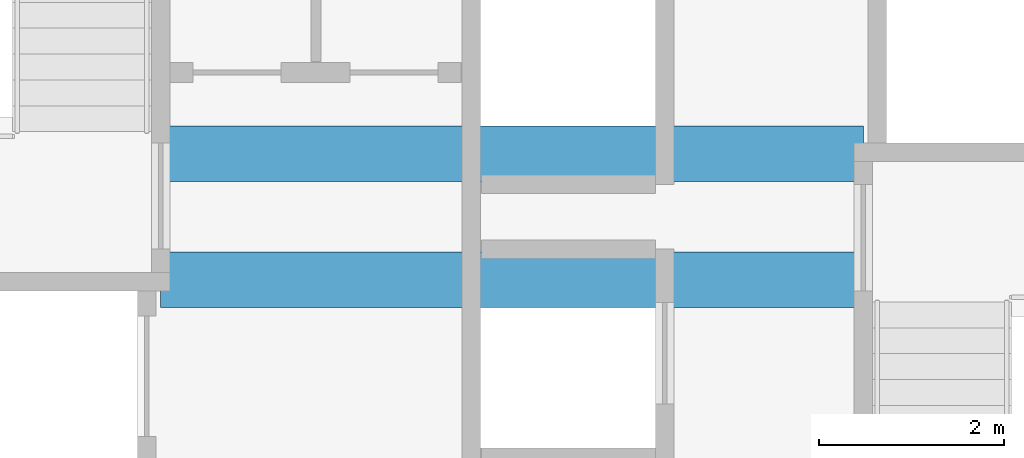
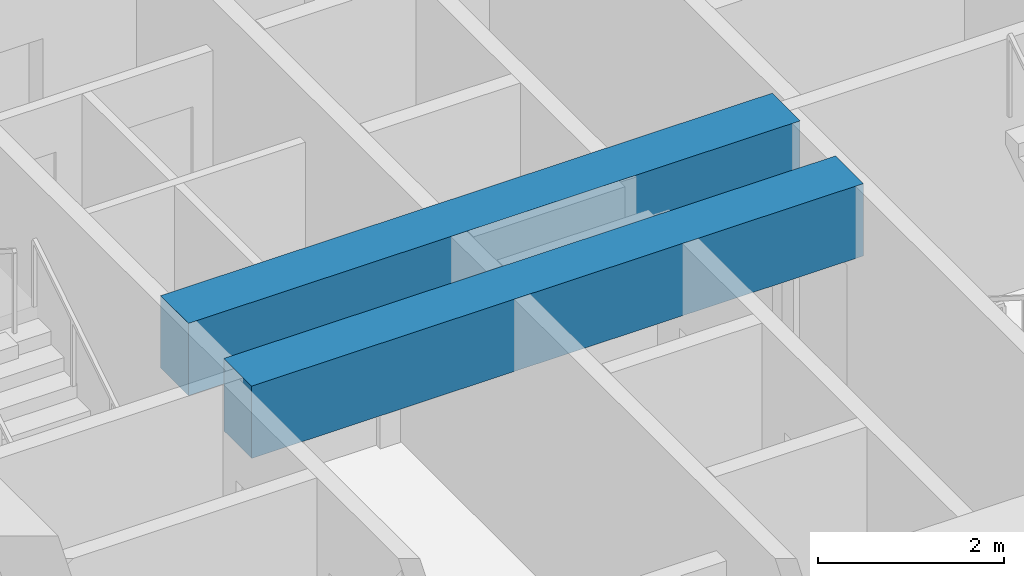
# One storey, part 8 of 46: 2 beams.
"""IFC4 building model written with IfcOpenShell, lengths in metres."""

from ifc_helpers import new_model, si_unit, direction, frame, origin, origin_2d, place, context, subcontext, project, spatial, rectangle, extrude, material, material_profile, profile_set, type_object, element, save


model = new_model("IFC4")

# Units and contexts
model_context = context("Model", 3, precision=1e-05, world=origin(), true_north=direction((0.0, 1.0)))
body_context = subcontext(model_context, "Body", "Model", "MODEL_VIEW")
ifc_project = project(units=[si_unit("LENGTHUNIT", "METRE"), si_unit("AREAUNIT", "SQUARE_METRE"), si_unit("VOLUMEUNIT", "CUBIC_METRE"), si_unit("PLANEANGLEUNIT", "RADIAN"), si_unit("MASSUNIT", "GRAM", prefix="KILO")], contexts=[model_context])

# Site, building, storey
site_placement = place(None, origin())
site = spatial("IfcSite", under=ifc_project, at=site_placement, CompositionType="ELEMENT")
building_placement = place(site_placement, origin())
building = spatial("IfcBuilding", under=site, at=building_placement, Name="Tashvorn Skyway Center", CompositionType="ELEMENT")
storey_placement = place(building_placement, frame((0.0, 0.0, 60.10009765625)))
storey = spatial("IfcBuildingStorey", under=building, at=storey_placement, Name="L15", CompositionType="ELEMENT", Elevation=60.10009765625)

# Beams
ifc_material = material(Name="Concrete C60/75", Category="concrete")
ifc_material_profile = material_profile(ifc_material, rectangle(XDim=0.60009765625, YDim=0.949951171875, at=origin_2d()), Name="RCB600x950")
ifc_profile_set = profile_set([ifc_material_profile], Name="Concrete C60/75")
beam_type = type_object("IfcBeamType", Name="BM-LINTEL-RCB600x950", PredefinedType="LINTEL", material=ifc_profile_set)
for number, where, z_axis, x_axis, name in (
    (1, (38.199951171875, 32.679931640625, 2.875), (1.0, 0.0, 0.0), (0.0, 1.0, 0.0), "Tower 1 L15 Core Coupling Beam CN"),
    (2, (38.199951171875, 31.320068359375, 2.875), (1.0, 0.0, 0.0), (0.0, 1.0, 0.0), "Tower 1 L15 Core Coupling Beam CS"),
):
    element("IfcBeam", number, at=place(storey_placement, frame(where, z_axis=z_axis, x_axis=x_axis)), inside=storey, type_object=beam_type, Name=name, PredefinedType="LINTEL", context=body_context, shape_type="SweptSolid", body=[
        extrude(rectangle(XDim=0.60009765625, YDim=0.949951171875, at=origin_2d()), origin(), (0.0, 0.0, 1.0), 7.60009765625),
    ])

save(model, "model.ifc")
